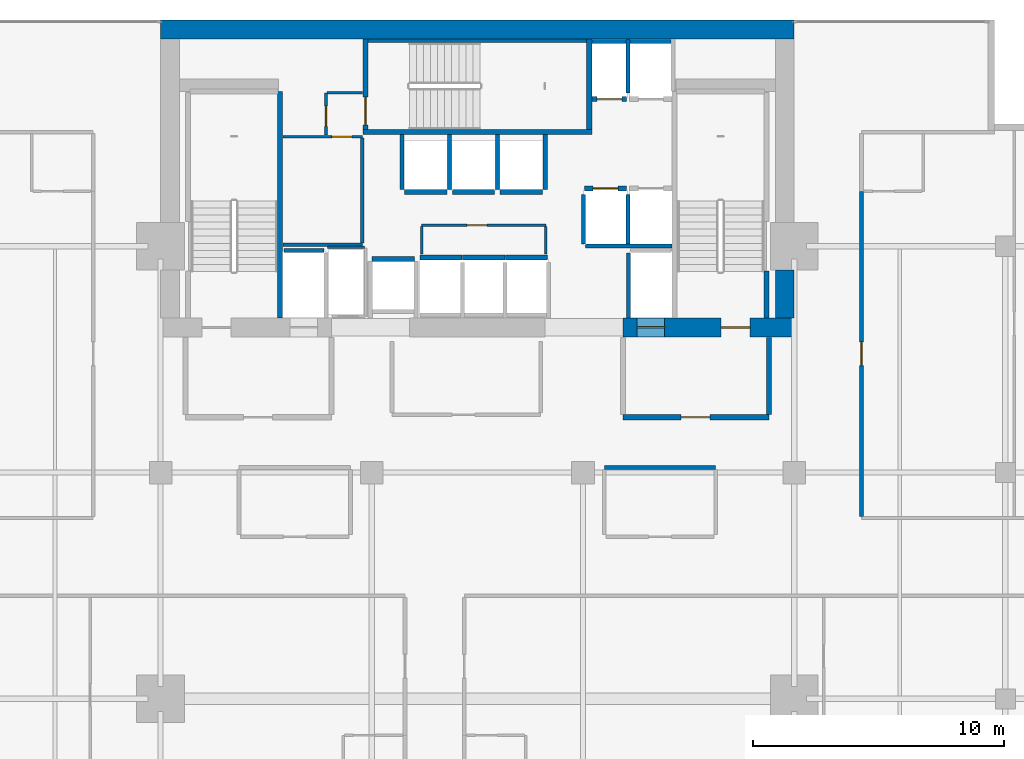
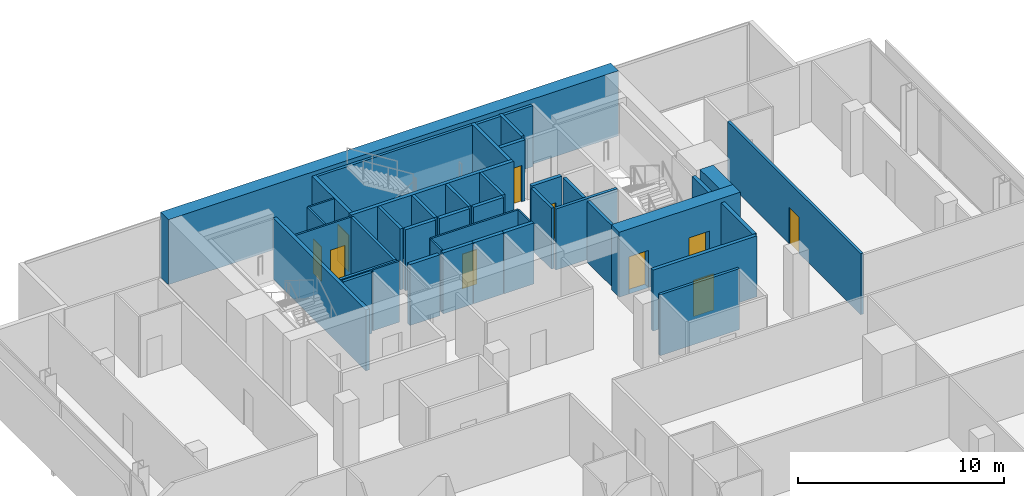
# One storey, part 29 of 32: 42 walls, 10 doors, 10 openings.
"""IFC4 building model written with IfcOpenShell, lengths in metres."""

import ifcopenshell
import ifcopenshell.guid

model = None  # the IFC model being written
_history = None  # IfcOwnerHistory: only IFC2X3 demands one
_inside = {}  # id of a spatial element -> (the spatial element, [elements in it])
_under = {}  # id of a project, library or spatial element -> (it, [spatial elements below it])
_declared = {}  # id of a project -> (the project, [libraries it declares])
_typed = {}  # id of a type object -> (the type object, [elements of that type])
_made_of = {}  # id of a material, layer set ... -> (it, [elements and type objects made of it])


def new_model(schema):
    """Start an empty IFC model of exactly this schema.

    Asked for "IFC4X3", IfcOpenShell would pick the latest addendum, in which some entities
    have other attributes; the version numbers below select the first issue.
    IFC2X3 requires an IfcOwnerHistory on every rooted entity: one is made here for all.
    """
    global model, _history
    if schema == "IFC4X3":
        model = ifcopenshell.file(schema_version=(4, 3, 0, 0))
    else:
        model = ifcopenshell.file(schema=schema)
    _inside.clear()
    _under.clear()
    _declared.clear()
    _typed.clear()
    _made_of.clear()
    _history = None
    if model.schema == "IFC2X3":
        org = make("IfcOrganization", Name="unknown")
        user = make(
            "IfcPersonAndOrganization",
            ThePerson=make("IfcPerson", FamilyName="unknown"),
            TheOrganization=org,
        )
        app = make(
            "IfcApplication",
            ApplicationDeveloper=org,
            Version="unknown",
            ApplicationFullName="unknown",
            ApplicationIdentifier="unknown",
        )
        _history = make(
            "IfcOwnerHistory",
            OwningUser=user,
            OwningApplication=app,
            ChangeAction="ADDED",
            CreationDate=0,
        )
    return model


def make(cls, **values):
    """One entity of the class cls with the attributes given. An attribute that is None is left unset."""
    return model.create_entity(
        cls, **{name: value for name, value in values.items() if value is not None}
    )


def rooted(cls, **values):
    """An entity with a GlobalId (a new one), such as an element, a storey or a relation."""
    return make(cls, GlobalId=ifcopenshell.guid.new(), OwnerHistory=_history, **values)


def si_unit(unit_type, name, prefix=None):
    """IfcSIUnit, for example si_unit("LENGTHUNIT", "METRE", prefix="MILLI")."""
    return make("IfcSIUnit", UnitType=unit_type, Prefix=prefix, Name=name)


def assignment(units):
    """IfcUnitAssignment: the units of a project."""
    return None if units is None else make("IfcUnitAssignment", Units=units)


def point(xyz):
    """IfcCartesianPoint."""
    return None if xyz is None else make("IfcCartesianPoint", Coordinates=xyz)


def direction(xyz):
    """IfcDirection."""
    return None if xyz is None else make("IfcDirection", DirectionRatios=xyz)


def frame(location, z_axis=None, x_axis=None):
    """IfcAxis2Placement3D, a coordinate frame: its origin and axes. An axis left out is left unset."""
    return make(
        "IfcAxis2Placement3D",
        Location=point(location),
        Axis=direction(z_axis),
        RefDirection=direction(x_axis),
    )


def frame_2d(location, x_axis=None):
    """IfcAxis2Placement2D, a coordinate frame in the plane: its origin and x axis."""
    return make(
        "IfcAxis2Placement2D", Location=point(location), RefDirection=direction(x_axis)
    )


def origin():
    """The frame at (0, 0, 0) with its axes left unset."""
    return frame((0.0, 0.0, 0.0))


def place(relative_to, where):
    """IfcLocalPlacement: puts the frame where relative to a parent placement (None: the world)."""
    return make(
        "IfcLocalPlacement", PlacementRelTo=relative_to, RelativePlacement=where
    )


def context(
    kind, dimensions, precision=None, world=None, true_north=None, identifier=None
):
    """IfcGeometricRepresentationContext, for example the 3D "Model" context."""
    return make(
        "IfcGeometricRepresentationContext",
        ContextIdentifier=identifier,
        ContextType=kind,
        CoordinateSpaceDimension=dimensions,
        Precision=precision,
        WorldCoordinateSystem=world,
        TrueNorth=true_north,
    )


def subcontext(parent, identifier, kind, view, scale=None):
    """IfcGeometricRepresentationSubContext, for example "Body" below "Model"."""
    return make(
        "IfcGeometricRepresentationSubContext",
        ContextIdentifier=identifier,
        ContextType=kind,
        ParentContext=parent,
        TargetScale=scale,
        TargetView=view,
    )


def project(units=None, contexts=None):
    """IfcProject with its units and contexts."""
    return rooted(
        "IfcProject",
        Name="project",
        RepresentationContexts=contexts,
        UnitsInContext=assignment(units),
    )


def spatial(cls, under=None, at=None, **own):
    """A site, building, storey or space (cls), placed at a placement, below another one or the project."""
    s = rooted(cls, ObjectPlacement=at, **own)
    if under is not None:
        _under.setdefault(under.id(), (under, []))[1].append(s)
    return s


def profile(cls, at=None, kind="AREA", **sizes):
    """A parametric profile (cls). Its sizes go by their IFC names, for example OverallWidth=200.0."""
    return make(cls, ProfileType=kind, Position=at, **sizes)


def rectangle(**sizes):
    """IfcRectangleProfileDef."""
    return profile("IfcRectangleProfileDef", **sizes)


def extrude(swept, where, along, depth):
    """IfcExtrudedAreaSolid: the profile swept, set in the frame where, extruded along a direction by depth."""
    return make(
        "IfcExtrudedAreaSolid",
        SweptArea=swept,
        Position=where,
        ExtrudedDirection=direction(along),
        Depth=depth,
    )


def shape(context_of_items, identifier, shape_type, items):
    """IfcShapeRepresentation: the items that make up one representation, for example the "Body"."""
    return make(
        "IfcShapeRepresentation",
        ContextOfItems=context_of_items,
        RepresentationIdentifier=identifier,
        RepresentationType=shape_type,
        Items=items,
    )


def material(Name=None, Category=None):
    """IfcMaterial."""
    return make("IfcMaterial", Name=Name, Category=Category)


def layer(
    of_material, thickness, ventilated=None, Name=None, Category=None, Priority=None
):
    """IfcMaterialLayer: one layer of a wall or slab, of a material (None: an air gap)."""
    return make(
        "IfcMaterialLayer",
        Material=of_material,
        LayerThickness=thickness,
        IsVentilated=ventilated,
        Name=Name,
        Category=Category,
        Priority=Priority,
    )


def layer_set(layers, Name=None):
    """IfcMaterialLayerSet."""
    return make("IfcMaterialLayerSet", MaterialLayers=layers, LayerSetName=Name)


def made_of(thing, what):
    """Note that an element or type object is made of a material, layer set ...; save() writes the relation."""
    if what is not None:
        _made_of.setdefault(what.id(), (what, []))[1].append(thing)
    return thing


def type_object(cls, material=None, **own):
    """A type object (cls), such as IfcWallType, which elements share."""
    return made_of(rooted(cls, **own), material)


def element(
    cls,
    number,
    at=None,
    inside=None,
    cuts=None,
    type_object=None,
    material=None,
    context=None,
    identifier="Body",
    shape_type=None,
    held_by="IfcProductDefinitionShape",
    body=None,
    shapes=None,
    **own,
):
    """One element of the class cls, such as IfcWall. Its Tag is "e" and its number.

    at: its placement. inside: the storey or other place that contains it. cuts: it is an
    opening in that element (IfcRelVoidsElement). A single representation is given by context,
    identifier, shape_type and body (its items); several are given by shapes. held_by: the class
    of the entity that holds the representations. save() writes the other relations.
    """
    e = rooted(cls, Tag="e%d" % number, ObjectPlacement=at, **own)
    if body is not None:
        shapes = [shape(context, identifier, shape_type, body)]
    if shapes is not None:
        e.Representation = make(held_by, Representations=shapes)
    if inside is not None:
        _inside.setdefault(inside.id(), (inside, []))[1].append(e)
    if cuts is not None:
        rooted(
            "IfcRelVoidsElement", RelatingBuildingElement=cuts, RelatedOpeningElement=e
        )
    if type_object is not None:
        _typed.setdefault(type_object.id(), (type_object, []))[1].append(e)
    return made_of(e, material)


def fill(opening, filler):
    """IfcRelFillsElement: the door or window that sits in an opening."""
    return rooted(
        "IfcRelFillsElement",
        RelatingOpeningElement=opening,
        RelatedBuildingElement=filler,
    )


def aggregate(whole, parts):
    """IfcRelAggregates: a whole, such as a stair, and the parts it consists of."""
    return rooted("IfcRelAggregates", RelatingObject=whole, RelatedObjects=parts)


def save(model, path):
    """Write the relations noted so far, then the file.

    IfcRelAggregates (storeys below a building ...), IfcRelContainedInSpatialStructure (elements
    in a storey), IfcRelDefinesByType, IfcRelAssociatesMaterial and IfcRelDeclares: one each for
    every whole, place, type object, material and project.
    """
    for whole, parts in _under.values():
        aggregate(whole, parts)
    for where, things in _inside.values():
        rooted(
            "IfcRelContainedInSpatialStructure",
            RelatedElements=things,
            RelatingStructure=where,
        )
    for kind, things in _typed.values():
        rooted("IfcRelDefinesByType", RelatedObjects=things, RelatingType=kind)
    for what, things in _made_of.values():
        rooted("IfcRelAssociatesMaterial", RelatedObjects=things, RelatingMaterial=what)
    for by, libraries in _declared.values():
        rooted("IfcRelDeclares", RelatingContext=by, RelatedDefinitions=libraries)
    model.write(path)


model = new_model("IFC4")

# Units and contexts
model_context = context("Model", 3, precision=1e-05, world=origin(), true_north=direction((0.0, 1.0)))
body_context = subcontext(model_context, "Body", "Model", "MODEL_VIEW")
ifc_project = project(units=[si_unit("LENGTHUNIT", "METRE"), si_unit("AREAUNIT", "SQUARE_METRE"), si_unit("VOLUMEUNIT", "CUBIC_METRE"), si_unit("PLANEANGLEUNIT", "RADIAN"), si_unit("MASSUNIT", "GRAM", prefix="KILO")], contexts=[model_context])

# Site, building, storey
site_placement = place(None, origin())
site = spatial("IfcSite", under=ifc_project, at=site_placement, CompositionType="ELEMENT")
building_placement = place(site_placement, origin())
building = spatial("IfcBuilding", under=site, at=building_placement, Name="Maruvema Waterfront Hotel and Observation Tower", CompositionType="ELEMENT")
storey_placement = place(building_placement, frame((0.0, 0.0, 219.800048828125)))
storey = spatial("IfcBuildingStorey", under=building, at=storey_placement, Name="L54", CompositionType="ELEMENT", Elevation=219.800048828125)

# Walls
ifc_material_1 = material(Name="Twin-stud acoustic gypsum drywall", Category="gypsum")
ifc_layer_1 = layer(ifc_material_1, 0.14990234375, Name="Acoustic Corridor and Suite Demising Wall 150 mm")
ifc_layer_set_1 = layer_set([ifc_layer_1], Name="Twin-stud acoustic gypsum drywall")
wall_type_1 = type_object("IfcWallType", Name="Acoustic Corridor and Suite Demising Wall 150 mm", PredefinedType="PARTITIONING", material=ifc_layer_set_1)
wall_1_placement = place(storey_placement, frame((30.06005859375, 45.06005859375, 0.0), z_axis=(0.0, 0.0, 1.0), x_axis=(1.0, 0.0, 0.0)))
element("IfcWall", 1, at=wall_1_placement, inside=storey, type_object=wall_type_1, Name="L54 Freed B1 South Wall 013", PredefinedType="PARTITIONING", context=body_context, shape_type="SweptSolid", body=[
    extrude(rectangle(XDim=3.179931640625, YDim=0.14990234375, at=frame_2d((1.58984375, 0.0))), origin(), (0.0, 0.0, 1.0), 3.60986328125),
])
wall_2_placement = place(storey_placement, frame((33.219970703125, 45.139892578125, 0.0), z_axis=(0.0, 0.0, 1.0), x_axis=(0.0, 1.0, 0.0)))
element("IfcWall", 2, at=wall_2_placement, inside=storey, type_object=wall_type_1, Name="L54 Freed B1 East Wall 014", PredefinedType="PARTITIONING", context=body_context, shape_type="SweptSolid", body=[
    extrude(rectangle(XDim=4.16015625, YDim=0.14990234375, at=frame_2d((2.080078125, 0.0))), origin(), (0.0, 0.0, 1.0), 3.60986328125),
])
wall_3_placement = place(storey_placement, frame((42.85009765625, 36.199951171875, 0.0), z_axis=(0.0, 0.0, 1.0), x_axis=(1.0, 0.0, 0.0)))
element("IfcWall", 3, at=wall_3_placement, inside=storey, type_object=wall_type_1, Name="L54 L54-M2 Back Wall 025", PredefinedType="PARTITIONING", context=body_context, shape_type="SweptSolid", body=[
    extrude(rectangle(XDim=4.429931640625, YDim=0.14990234375, at=frame_2d((2.21484375, 0.0))), origin(), (0.0, 0.0, 1.0), 3.60986328125),
])

# Wall, opening, door
wall_4_placement = place(storey_placement, frame((53.080078125, 34.260009765625, 0.0), z_axis=(0.0, 0.0, 1.0), x_axis=(0.0, 1.0, 0.0)))
wall_4 = element("IfcWall", 4, at=wall_4_placement, inside=storey, type_object=wall_type_1, Name="L54 Room L54-NE1 Corridor Wall 079", PredefinedType="PARTITIONING", context=body_context, shape_type="SweptSolid", body=[
    extrude(rectangle(XDim=12.927490234375, YDim=0.14990234375, at=frame_2d((6.4638671875, 0.0))), origin(), (0.0, 0.0, 1.0), 3.60986328125),
])
opening_1_placement = place(wall_4_placement, frame((5.98876953125, 0.0, 0.0)))
opening_1 = element("IfcOpeningElement", 5, at=opening_1_placement, cuts=wall_4, Name="Opening DR-095", PredefinedType="OPENING", context=body_context, shape_type="SweptSolid", body=[
    extrude(rectangle(XDim=0.949951171875, YDim=2.14990234375, at=frame_2d((0.47509765625, 1.074951171875))), frame((0.0, 0.0849609375, 0.0), z_axis=(0.0, -1.0, 0.0), x_axis=(1.0, 0.0, 0.0)), (0.0, 0.0, 1.0), 0.169921875),
])
ifc_material_2 = material(Name="Acoustic solid-core hardwood timber leaf", Category="wood")
door_type_1 = type_object("IfcDoorType", Name="Guestroom Entrance Fire Door 950x2150 mm", OperationType="NOTDEFINED", PredefinedType="DOOR", material=ifc_material_2)
door_1_placement = place(opening_1_placement, frame((0.949951171875, 0.0, 0.0), z_axis=(0.0, 0.0, 1.0), x_axis=(-1.0, 0.0, 0.0)))
door_1 = element("IfcDoor", 6, at=door_1_placement, inside=storey, type_object=door_type_1, Name="L54 Room L54-NE1 Entrance Door", OperationType="SINGLE_SWING_RIGHT", OverallHeight=2.14990234375, OverallWidth=0.949951171875, PredefinedType="DOOR", context=body_context, shape_type="SweptSolid", body=[
    extrude(rectangle(XDim=0.949951171875, YDim=2.14990234375, at=frame_2d((0.47509765625, 1.074951171875))), frame((0.0, 0.02490234375, 0.0), z_axis=(0.0, -1.0, 0.0), x_axis=(1.0, 0.0, 0.0)), (0.0, 0.0, 1.0), 0.050048828125),
])
fill(opening_1, door_1)

# Walls
ifc_material_3 = material(Name="Precast concrete C45/55", Category="concrete")
ifc_layer_2 = layer(ifc_material_3, 0.14990234375, Name="Core Shaft Furring Wall 150 mm")
ifc_layer_set_2 = layer_set([ifc_layer_2], Name="Precast concrete C45/55")
wall_type_2 = type_object("IfcWallType", Name="Core Shaft Furring Wall 150 mm", PredefinedType="SOLIDWALL", material=ifc_layer_set_2)
wall_5_placement = place(storey_placement, frame((33.449951171875, 53.175048828125, 0.0), z_axis=(0.0, 0.0, 1.0), x_axis=(1.0, 0.0, 0.0)))
element("IfcWall", 7, at=wall_5_placement, inside=storey, type_object=wall_type_2, Name="L54 Stairwell ST-02 North Furring Wall", PredefinedType="SOLIDWALL", context=body_context, shape_type="SweptSolid", body=[
    extrude(rectangle(XDim=8.699951171875, YDim=0.14990234375, at=frame_2d((4.35009765625, 0.0))), origin(), (0.0, 0.0, 1.0), 3.60986328125),
])
ifc_material_4 = material(Name="Precast concrete C45/55", Category="concrete")
ifc_layer_3 = layer(ifc_material_4, 0.199951171875, Name="Core Shaft and Stairwell Enclosure Wall 200 mm")
ifc_layer_set_3 = layer_set([ifc_layer_3], Name="Precast concrete C45/55")
wall_type_3 = type_object("IfcWallType", Name="Core Shaft and Stairwell Enclosure Wall 200 mm", PredefinedType="SOLIDWALL", material=ifc_layer_set_3)
wall_6_placement = place(storey_placement, frame((29.949951171875, 42.14990234375, 0.0), z_axis=(0.0, 0.0, 1.0), x_axis=(0.0, 1.0, 0.0)))
element("IfcWall", 8, at=wall_6_placement, inside=storey, type_object=wall_type_3, Name="L54 Stairwell ST-01 East Shaft Wall", PredefinedType="SOLIDWALL", context=body_context, shape_type="SweptSolid", body=[
    extrude(rectangle(XDim=9.0, YDim=0.199951171875, at=frame_2d((4.5, 0.0))), origin(), (0.0, 0.0, 1.0), 3.60986328125),
])
wall_7_placement = place(storey_placement, frame((33.25, 49.550048828125, 0.0), z_axis=(0.0, 0.0, 1.0), x_axis=(1.0, 0.0, 0.0)))
element("IfcWall", 9, at=wall_7_placement, inside=storey, type_object=wall_type_3, Name="L54 Stairwell ST-02 Shaft Wall", PredefinedType="SOLIDWALL", context=body_context, shape_type="SweptSolid", body=[
    extrude(rectangle(XDim=9.10009765625, YDim=0.199951171875, at=frame_2d((4.550048828125, 0.0))), origin(), (0.0, 0.0, 1.0), 3.60986328125),
])
wall_8_placement = place(storey_placement, frame((42.25, 49.64990234375, 0.0), z_axis=(0.0, 0.0, 1.0), x_axis=(0.0, 1.0, 0.0)))
element("IfcWall", 10, at=wall_8_placement, inside=storey, type_object=wall_type_3, Name="L54 Stairwell ST-02 Shaft Wall", PredefinedType="SOLIDWALL", context=body_context, shape_type="SweptSolid", body=[
    extrude(rectangle(XDim=3.60009765625, YDim=0.199951171875, at=frame_2d((1.800048828125, 0.0))), origin(), (0.0, 0.0, 1.0), 3.60986328125),
])

# Wall, opening, door
wall_9_placement = place(storey_placement, frame((33.35009765625, 49.64990234375, 0.0), z_axis=(0.0, 0.0, 1.0), x_axis=(0.0, 1.0, 0.0)))
wall_9 = element("IfcWall", 11, at=wall_9_placement, inside=storey, type_object=wall_type_3, Name="L54 Stairwell ST-02 Shaft Wall", PredefinedType="SOLIDWALL", context=body_context, shape_type="SweptSolid", body=[
    extrude(rectangle(XDim=3.60009765625, YDim=0.199951171875, at=frame_2d((1.800048828125, 0.0))), origin(), (0.0, 0.0, 1.0), 3.60986328125),
])
opening_2_placement = place(wall_9_placement, frame((0.179931640625, 0.0, 0.0)))
opening_2 = element("IfcOpeningElement", 12, at=opening_2_placement, cuts=wall_9, Name="Opening SD-02", PredefinedType="OPENING", context=body_context, shape_type="SweptSolid", body=[
    extrude(rectangle(XDim=1.10009765625, YDim=2.14990234375, at=frame_2d((0.550048828125, 1.074951171875))), frame((0.0, 0.10986328125, 0.0), z_axis=(0.0, -1.0, 0.0), x_axis=(1.0, 0.0, 0.0)), (0.0, 0.0, 1.0), 0.219970703125),
])
ifc_material_5 = material(Name="Fire-rated galvanised steel leaf", Category="steel")
door_type_2 = type_object("IfcDoorType", Name="Central Exit Stair Fire Door 1100x2150 mm", OperationType="NOTDEFINED", PredefinedType="DOOR", material=ifc_material_5)
door_2_placement = place(opening_2_placement, frame((1.10009765625, 0.0, 0.0), z_axis=(0.0, 0.0, 1.0), x_axis=(-1.0, 0.0, 0.0)))
door_2 = element("IfcDoor", 13, at=door_2_placement, inside=storey, type_object=door_type_2, Name="L54 Exit Stair ST-02 Fire Door", OperationType="SINGLE_SWING_LEFT", OverallHeight=2.14990234375, OverallWidth=1.10009765625, PredefinedType="DOOR", context=body_context, shape_type="SweptSolid", body=[
    extrude(rectangle(XDim=1.10009765625, YDim=2.14990234375, at=frame_2d((0.550048828125, 1.074951171875))), frame((0.0, 0.02490234375, 0.0), z_axis=(0.0, -1.0, 0.0), x_axis=(1.0, 0.0, 0.0)), (0.0, 0.0, 1.0), 0.050048828125),
])
fill(opening_2, door_2)

# Wall
wall_10_placement = place(storey_placement, frame((49.300048828125, 42.14990234375, 0.0), z_axis=(0.0, 0.0, 1.0), x_axis=(0.0, 1.0, 0.0)))
element("IfcWall", 14, at=wall_10_placement, inside=storey, type_object=wall_type_3, Name="L54 Stairwell ST-03 Shaft Lining Wall", PredefinedType="SOLIDWALL", context=body_context, shape_type="SweptSolid", body=[
    extrude(rectangle(XDim=1.8701171875, YDim=0.199951171875, at=frame_2d((0.93505859375, 0.0))), origin(), (0.0, 0.0, 1.0), 3.60986328125),
])

# Wall, opening, door
wall_11_placement = place(storey_placement, frame((42.06005859375, 47.300048828125, 0.0), z_axis=(0.0, 0.0, 1.0), x_axis=(1.0, 0.0, 0.0)))
wall_11 = element("IfcWall", 15, at=wall_11_placement, inside=storey, type_object=wall_type_3, Name="L54 Lift LF-05 Hoistway Front Wall", PredefinedType="SOLIDWALL", context=body_context, shape_type="SweptSolid", body=[
    extrude(rectangle(XDim=1.679931640625, YDim=0.199951171875, at=frame_2d((0.83984375, 0.0))), origin(), (0.0, 0.0, 1.0), 3.60986328125),
])
opening_3_placement = place(wall_11_placement, frame((0.340087890625, 0.0, 0.0)))
opening_3 = element("IfcOpeningElement", 16, at=opening_3_placement, cuts=wall_11, Name="Opening LD-01", PredefinedType="OPENING", context=body_context, shape_type="SweptSolid", body=[
    extrude(rectangle(XDim=1.0, YDim=2.14990234375, at=frame_2d((0.5, 1.074951171875))), frame((0.0, 0.10986328125, 0.0), z_axis=(0.0, -1.0, 0.0), x_axis=(1.0, 0.0, 0.0)), (0.0, 0.0, 1.0), 0.219970703125),
])
ifc_material_6 = material(Name="Brushed stainless steel Grade 316", Category="steel")
door_type_3 = type_object("IfcDoorType", Name="Passenger Lift Sliding Landing Door 1000x2150 mm", OperationType="SLIDING_TO_LEFT", PredefinedType="DOOR", material=ifc_material_6)
door_3_placement = place(opening_3_placement, origin())
door_3 = element("IfcDoor", 17, at=door_3_placement, inside=storey, type_object=door_type_3, Name="L54 Lift LF-05 Sliding Landing Door", OperationType="SLIDING_TO_LEFT", OverallHeight=2.14990234375, OverallWidth=1.0, PredefinedType="DOOR", context=body_context, shape_type="SweptSolid", body=[
    extrude(rectangle(XDim=1.0, YDim=2.14990234375, at=frame_2d((0.5, 1.074951171875))), frame((0.0, 0.02490234375, 0.0), z_axis=(0.0, -1.0, 0.0), x_axis=(1.0, 0.0, 0.0)), (0.0, 0.0, 1.0), 0.050048828125),
])
fill(opening_3, door_3)

wall_12_placement = place(storey_placement, frame((42.360107421875, 50.85009765625, 0.0), z_axis=(0.0, 0.0, 1.0), x_axis=(1.0, 0.0, 0.0)))
wall_12 = element("IfcWall", 18, at=wall_12_placement, inside=storey, type_object=wall_type_3, Name="L54 Lift LF-07 Hoistway Front Wall", PredefinedType="SOLIDWALL", context=body_context, shape_type="SweptSolid", body=[
    extrude(rectangle(XDim=1.3798828125, YDim=0.199951171875, at=frame_2d((0.68994140625, 0.0))), origin(), (0.0, 0.0, 1.0), 3.60986328125),
])
opening_4_placement = place(wall_12_placement, frame((0.18994140625, 0.0, 0.0)))
opening_4 = element("IfcOpeningElement", 19, at=opening_4_placement, cuts=wall_12, Name="Opening LD-01", PredefinedType="OPENING", context=body_context, shape_type="SweptSolid", body=[
    extrude(rectangle(XDim=1.0, YDim=2.14990234375, at=frame_2d((0.5, 1.074951171875))), frame((0.0, 0.10986328125, 0.0), z_axis=(0.0, -1.0, 0.0), x_axis=(1.0, 0.0, 0.0)), (0.0, 0.0, 1.0), 0.219970703125),
])
door_4_placement = place(opening_4_placement, frame((1.0, 0.0, 0.0), z_axis=(0.0, 0.0, 1.0), x_axis=(-1.0, 0.0, 0.0)))
door_4 = element("IfcDoor", 20, at=door_4_placement, inside=storey, type_object=door_type_3, Name="L54 Lift LF-07 Sliding Landing Door", OperationType="SLIDING_TO_LEFT", OverallHeight=2.14990234375, OverallWidth=1.0, PredefinedType="DOOR", context=body_context, shape_type="SweptSolid", body=[
    extrude(rectangle(XDim=1.0, YDim=2.14990234375, at=frame_2d((0.5, 1.074951171875))), frame((0.0, 0.02490234375, 0.0), z_axis=(0.0, -1.0, 0.0), x_axis=(1.0, 0.0, 0.0)), (0.0, 0.0, 1.0), 0.050048828125),
])
fill(opening_4, door_4)

# Walls
for number, where, z_axis, x_axis, name in (
    (21, (35.510009765625, 44.550048828125, 0.0), (0.0, 0.0, 1.0), (1.0, 0.0, 0.0), "L54 Lift LF-09 Hoistway Front Wall"),
    (22, (37.2099609375, 44.550048828125, 0.0), (0.0, 0.0, 1.0), (1.0, 0.0, 0.0), "L54 Lift LF-10 Hoistway Front Wall"),
):
    element("IfcWall", number, at=place(storey_placement, frame(where, z_axis=z_axis, x_axis=x_axis)), inside=storey, type_object=wall_type_3, Name=name, PredefinedType="SOLIDWALL", context=body_context, shape_type="SweptSolid", body=[
        extrude(rectangle(XDim=1.679931640625, YDim=0.199951171875, at=frame_2d((0.83984375, 0.0))), origin(), (0.0, 0.0, 1.0), 3.60986328125),
    ])
for number, where, z_axis, x_axis, name in (
    (23, (38.909912109375, 44.550048828125, 0.0), (0.0, 0.0, 1.0), (1.0, 0.0, 0.0), "L54 Lift LF-11 Hoistway Front Wall"),
    (24, (34.909912109375, 47.14990234375, 0.0), (0.0, 0.0, 1.0), (1.0, 0.0, 0.0), "L54 Lift LF-12 Hoistway Front Wall"),
):
    element("IfcWall", number, at=place(storey_placement, frame(where, z_axis=z_axis, x_axis=x_axis)), inside=storey, type_object=wall_type_3, Name=name, PredefinedType="SOLIDWALL", context=body_context, shape_type="SweptSolid", body=[
        extrude(rectangle(XDim=1.68017578125, YDim=0.199951171875, at=frame_2d((0.840087890625, 0.0))), origin(), (0.0, 0.0, 1.0), 3.60986328125),
    ])
for number, where, z_axis, x_axis, name in (
    (25, (36.81005859375, 47.14990234375, 0.0), (0.0, 0.0, 1.0), (1.0, 0.0, 0.0), "L54 Lift LF-13 Hoistway Front Wall"),
    (26, (38.7099609375, 47.14990234375, 0.0), (0.0, 0.0, 1.0), (1.0, 0.0, 0.0), "L54 Lift LF-14 Hoistway Front Wall"),
    (27, (33.610107421875, 44.5, 0.0), (0.0, 0.0, 1.0), (1.0, 0.0, 0.0), "L54 Lift LF-15 Hoistway Front Wall"),
):
    element("IfcWall", number, at=place(storey_placement, frame(where, z_axis=z_axis, x_axis=x_axis)), inside=storey, type_object=wall_type_3, Name=name, PredefinedType="SOLIDWALL", context=body_context, shape_type="SweptSolid", body=[
        extrude(rectangle(XDim=1.679931640625, YDim=0.199951171875, at=frame_2d((0.83984375, 0.0))), origin(), (0.0, 0.0, 1.0), 3.60986328125),
    ])
ifc_material_7 = material(Name="Concrete C70/85", Category="concrete")
ifc_layer_4 = layer(ifc_material_7, 0.75, Name="Core Shear Wall 750 mm")
ifc_layer_set_4 = layer_set([ifc_layer_4], Name="Concrete C70/85")
wall_type_4 = type_object("IfcWallType", Name="Core Shear Wall 750 mm", PredefinedType="SHEAR", material=ifc_layer_set_4)
wall_13_placement = place(storey_placement, frame((25.199951171875, 53.625, 0.0), z_axis=(0.0, 0.0, 1.0), x_axis=(1.0, 0.0, 0.0)))
element("IfcWall", 28, at=wall_13_placement, inside=storey, type_object=wall_type_4, Name="L54 North Core Shear Wall", PredefinedType="SHEAR", context=body_context, shape_type="SweptSolid", body=[
    extrude(rectangle(XDim=25.199951171875, YDim=0.75, at=frame_2d((12.60009765625, 0.0))), origin(), (0.0, 0.0, 1.0), 3.849853515625),
])

# Wall, openings, doors
wall_14_placement = place(storey_placement, frame((43.60009765625, 41.77490234375, 0.0), z_axis=(0.0, 0.0, 1.0), x_axis=(1.0, 0.0, 0.0)))
wall_14 = element("IfcWall", 29, at=wall_14_placement, inside=storey, type_object=wall_type_4, Name="L54 South-East Core Shear Wall", PredefinedType="SHEAR", context=body_context, shape_type="SweptSolid", body=[
    extrude(rectangle(XDim=6.7998046875, YDim=0.75, at=frame_2d((3.39990234375, 0.0))), origin(), (0.0, 0.0, 1.0), 3.849853515625),
])
opening_5_placement = place(wall_14_placement, frame((3.89990234375, 0.0, 0.0)))
opening_5 = element("IfcOpeningElement", 30, at=opening_5_placement, cuts=wall_14, Name="Opening SD-01", PredefinedType="OPENING", context=body_context, shape_type="SweptSolid", body=[
    extrude(rectangle(XDim=1.14990234375, YDim=2.14990234375, at=frame_2d((0.574951171875, 1.074951171875))), frame((0.0, 0.385009765625, 0.0), z_axis=(0.0, -1.0, 0.0), x_axis=(1.0, 0.0, 0.0)), (0.0, 0.0, 1.0), 0.77001953125),
])
opening_6_placement = place(wall_14_placement, frame((0.550048828125, 0.0, 0.0)))
opening_6 = element("IfcOpeningElement", 31, at=opening_6_placement, cuts=wall_14, Name="Opening LD-03", PredefinedType="OPENING", context=body_context, shape_type="SweptSolid", body=[
    extrude(rectangle(XDim=1.10009765625, YDim=2.199951171875, at=frame_2d((0.550048828125, 1.10009765625))), frame((0.0, 0.385009765625, 0.0), z_axis=(0.0, -1.0, 0.0), x_axis=(1.0, 0.0, 0.0)), (0.0, 0.0, 1.0), 0.77001953125),
])
ifc_material_8 = material(Name="Fire-rated galvanised steel leaf", Category="steel")
door_type_4 = type_object("IfcDoorType", Name="Exit Stair Fire Door 1150x2150 mm", OperationType="NOTDEFINED", PredefinedType="DOOR", material=ifc_material_8)
door_5_placement = place(opening_5_placement, origin())
door_5 = element("IfcDoor", 32, at=door_5_placement, inside=storey, type_object=door_type_4, Name="L54 Exit Stair ST-03 Fire Door", OperationType="SINGLE_SWING_RIGHT", OverallHeight=2.14990234375, OverallWidth=1.14990234375, PredefinedType="DOOR", context=body_context, shape_type="SweptSolid", body=[
    extrude(rectangle(XDim=1.14990234375, YDim=2.14990234375, at=frame_2d((0.574951171875, 1.074951171875))), frame((0.0, 0.02490234375, 0.0), z_axis=(0.0, -1.0, 0.0), x_axis=(1.0, 0.0, 0.0)), (0.0, 0.0, 1.0), 0.050048828125),
])
fill(opening_5, door_5)
ifc_material_9 = material(Name="Brushed stainless steel Grade 316", Category="steel")
door_type_5 = type_object("IfcDoorType", Name="Firefighting Lift Sliding Landing Door 1100x2200 mm", OperationType="SLIDING_TO_LEFT", PredefinedType="DOOR", material=ifc_material_9)
door_6_placement = place(opening_6_placement, frame((1.10009765625, 0.0, 0.0), z_axis=(0.0, 0.0, 1.0), x_axis=(-1.0, 0.0, 0.0)))
door_6 = element("IfcDoor", 33, at=door_6_placement, inside=storey, type_object=door_type_5, Name="L54 Firefighting Lift FL-02 Landing Door", OperationType="SLIDING_TO_LEFT", OverallHeight=2.199951171875, OverallWidth=1.10009765625, PredefinedType="DOOR", context=body_context, shape_type="SweptSolid", body=[
    extrude(rectangle(XDim=1.10009765625, YDim=2.199951171875, at=frame_2d((0.550048828125, 1.10009765625))), frame((0.0, 0.02490234375, 0.0), z_axis=(0.0, -1.0, 0.0), x_axis=(1.0, 0.0, 0.0)), (0.0, 0.0, 1.0), 0.050048828125),
])
fill(opening_6, door_6)

# Walls
wall_15_placement = place(storey_placement, frame((50.02490234375, 42.14990234375, 0.0), z_axis=(0.0, 0.0, 1.0), x_axis=(0.0, 1.0, 0.0)))
element("IfcWall", 34, at=wall_15_placement, inside=storey, type_object=wall_type_4, Name="L54 East-South Core Shear Wall", PredefinedType="SHEAR", context=body_context, shape_type="SweptSolid", body=[
    extrude(rectangle(XDim=1.900146484375, YDim=0.75, at=frame_2d((0.9501953125, 0.0))), origin(), (0.0, 0.0, 1.0), 3.849853515625),
])
ifc_material_10 = material(Name="Moisture-resistant cement-board drywall", Category="gypsum")
ifc_layer_5 = layer(ifc_material_10, 0.10009765625, Name="En-Suite Moisture-Resistant Partition 100 mm")
ifc_layer_set_5 = layer_set([ifc_layer_5], Name="Moisture-resistant cement-board drywall")
wall_type_5 = type_object("IfcWallType", Name="En-Suite Moisture-Resistant Partition 100 mm", PredefinedType="PARTITIONING", material=ifc_layer_set_5)
wall_16_placement = place(storey_placement, frame((31.840087890625, 44.9599609375, 0.0), z_axis=(0.0, 0.0, 1.0), x_axis=(1.0, 0.0, 0.0)))
element("IfcWall", 35, at=wall_16_placement, inside=storey, type_object=wall_type_5, Name="L54 Telecom Riser North Wall 008", PredefinedType="PARTITIONING", context=body_context, shape_type="SweptSolid", body=[
    extrude(rectangle(XDim=1.47998046875, YDim=0.10009765625, at=frame_2d((0.739990234375, 0.0))), origin(), (0.0, 0.0, 1.0), 3.60986328125),
])

# Wall, opening, door
wall_17_placement = place(storey_placement, frame((35.580078125, 45.840087890625, 0.0), z_axis=(0.0, 0.0, 1.0), x_axis=(1.0, 0.0, 0.0)))
wall_17 = element("IfcWall", 36, at=wall_17_placement, inside=storey, type_object=wall_type_5, Name="L54 Core Closet K0 North 010", PredefinedType="PARTITIONING", context=body_context, shape_type="SweptSolid", body=[
    extrude(rectangle(XDim=4.93994140625, YDim=0.10009765625, at=frame_2d((2.469970703125, 0.0))), origin(), (0.0, 0.0, 1.0), 3.60986328125),
])
opening_7_placement = place(wall_17_placement, frame((1.800048828125, 0.0, 0.0)))
opening_7 = element("IfcOpeningElement", 37, at=opening_7_placement, cuts=wall_17, Name="Opening DR-080", PredefinedType="OPENING", context=body_context, shape_type="SweptSolid", body=[
    extrude(rectangle(XDim=0.800048828125, YDim=2.050048828125, at=frame_2d((0.39990234375, 1.02490234375))), frame((0.0, 0.06005859375, 0.0), z_axis=(0.0, -1.0, 0.0), x_axis=(1.0, 0.0, 0.0)), (0.0, 0.0, 1.0), 0.1201171875),
])
ifc_material_11 = material(Name="Powder-coated steel access leaf", Category="steel")
door_type_6 = type_object("IfcDoorType", Name="Riser and Service Cupboard Door 800x2050 mm", OperationType="NOTDEFINED", PredefinedType="DOOR", material=ifc_material_11)
door_7_placement = place(opening_7_placement, origin())
door_7 = element("IfcDoor", 38, at=door_7_placement, inside=storey, type_object=door_type_6, Name="L54 Core Electrical Closet Door", OperationType="SINGLE_SWING_RIGHT", OverallHeight=2.050048828125, OverallWidth=0.800048828125, PredefinedType="DOOR", context=body_context, shape_type="SweptSolid", body=[
    extrude(rectangle(XDim=0.800048828125, YDim=2.050048828125, at=frame_2d((0.39990234375, 1.02490234375))), frame((0.0, 0.02490234375, 0.0), z_axis=(0.0, -1.0, 0.0), x_axis=(1.0, 0.0, 0.0)), (0.0, 0.0, 1.0), 0.050048828125),
])
fill(opening_7, door_7)

# Walls
for number, where, z_axis, x_axis, name in (
    (39, (35.580078125, 44.699951171875, 0.0), (0.0, 0.0, 1.0), (0.0, 1.0, 0.0), "L54 Core Closet K0 West 011"),
    (40, (40.52001953125, 44.699951171875, 0.0), (0.0, 0.0, 1.0), (0.0, 1.0, 0.0), "L54 Core Closet K0 East 012"),
):
    element("IfcWall", number, at=place(storey_placement, frame(where, z_axis=z_axis, x_axis=x_axis)), inside=storey, type_object=wall_type_5, Name=name, PredefinedType="PARTITIONING", context=body_context, shape_type="SweptSolid", body=[
        extrude(rectangle(XDim=1.080078125, YDim=0.10009765625, at=frame_2d((0.5400390625, 0.0))), origin(), (0.0, 0.0, 1.0), 3.60986328125),
    ])

# Wall, opening, door
wall_18_placement = place(storey_placement, frame((30.06005859375, 49.360107421875, 0.0), z_axis=(0.0, 0.0, 1.0), x_axis=(1.0, 0.0, 0.0)))
wall_18 = element("IfcWall", 41, at=wall_18_placement, inside=storey, type_object=wall_type_5, Name="L54 Freed B1 Mid Wall 015", PredefinedType="PARTITIONING", context=body_context, shape_type="SweptSolid", body=[
    extrude(rectangle(XDim=3.179931640625, YDim=0.10009765625, at=frame_2d((1.58984375, 0.0))), origin(), (0.0, 0.0, 1.0), 3.60986328125),
])
opening_8_placement = place(wall_18_placement, frame((1.949951171875, 0.0, 0.0)))
opening_8 = element("IfcOpeningElement", 42, at=opening_8_placement, cuts=wall_18, Name="Opening DR-080", PredefinedType="OPENING", context=body_context, shape_type="SweptSolid", body=[
    extrude(rectangle(XDim=0.800048828125, YDim=2.050048828125, at=frame_2d((0.39990234375, 1.02490234375))), frame((0.0, 0.06005859375, 0.0), z_axis=(0.0, -1.0, 0.0), x_axis=(1.0, 0.0, 0.0)), (0.0, 0.0, 1.0), 0.1201171875),
])
door_8_placement = place(opening_8_placement, origin())
door_8 = element("IfcDoor", 43, at=door_8_placement, inside=storey, type_object=door_type_6, Name="L54 Housekeeping and Linen Room Door", OperationType="SINGLE_SWING_LEFT", OverallHeight=2.050048828125, OverallWidth=0.800048828125, PredefinedType="DOOR", context=body_context, shape_type="SweptSolid", body=[
    extrude(rectangle(XDim=0.800048828125, YDim=2.050048828125, at=frame_2d((0.39990234375, 1.02490234375))), frame((0.0, 0.02490234375, 0.0), z_axis=(0.0, -1.0, 0.0), x_axis=(1.0, 0.0, 0.0)), (0.0, 0.0, 1.0), 0.050048828125),
])
fill(opening_8, door_8)

wall_19_placement = place(storey_placement, frame((31.780029296875, 49.419921875, 0.0), z_axis=(0.0, 0.0, 1.0), x_axis=(0.0, 1.0, 0.0)))
wall_19 = element("IfcWall", 44, at=wall_19_placement, inside=storey, type_object=wall_type_5, Name="L54 Freed B1 NW East Wall 016", PredefinedType="PARTITIONING", context=body_context, shape_type="SweptSolid", body=[
    extrude(rectangle(XDim=1.68017578125, YDim=0.10009765625, at=frame_2d((0.840087890625, 0.0))), origin(), (0.0, 0.0, 1.0), 3.60986328125),
])
opening_9_placement = place(wall_19_placement, frame((0.35009765625, 0.0, 0.0)))
opening_9 = element("IfcOpeningElement", 45, at=opening_9_placement, cuts=wall_19, Name="Opening DR-080", PredefinedType="OPENING", context=body_context, shape_type="SweptSolid", body=[
    extrude(rectangle(XDim=0.800048828125, YDim=2.050048828125, at=frame_2d((0.39990234375, 1.02490234375))), frame((0.0, 0.06005859375, 0.0), z_axis=(0.0, -1.0, 0.0), x_axis=(1.0, 0.0, 0.0)), (0.0, 0.0, 1.0), 0.1201171875),
])
door_9_placement = place(opening_9_placement, origin())
door_9 = element("IfcDoor", 46, at=door_9_placement, inside=storey, type_object=door_type_6, Name="L54 Guest Floor Pantry Door", OperationType="SINGLE_SWING_RIGHT", OverallHeight=2.050048828125, OverallWidth=0.800048828125, PredefinedType="DOOR", context=body_context, shape_type="SweptSolid", body=[
    extrude(rectangle(XDim=0.800048828125, YDim=2.050048828125, at=frame_2d((0.39990234375, 1.02490234375))), frame((0.0, 0.02490234375, 0.0), z_axis=(0.0, -1.0, 0.0), x_axis=(1.0, 0.0, 0.0)), (0.0, 0.0, 1.0), 0.050048828125),
])
fill(opening_9, door_9)

# Wall
wall_20_placement = place(storey_placement, frame((31.820068359375, 51.10009765625, 0.0), z_axis=(0.0, 0.0, 1.0), x_axis=(1.0, 0.0, 0.0)))
element("IfcWall", 47, at=wall_20_placement, inside=storey, type_object=wall_type_5, Name="L54 Freed B1 Vestibule North Wall 017", PredefinedType="PARTITIONING", context=body_context, shape_type="SweptSolid", body=[
    extrude(rectangle(XDim=1.419921875, YDim=0.10009765625, at=frame_2d((0.7099609375, 0.0))), origin(), (0.0, 0.0, 1.0), 3.60986328125),
])

# Wall, opening, door
ifc_material_12 = material(Name="Autoclaved cellular concrete blockwork", Category="masonry")
ifc_layer_6 = layer(ifc_material_12, 0.199951171875, Name="Fire Compartment Masonry Wall 200 mm")
ifc_layer_set_6 = layer_set([ifc_layer_6], Name="Autoclaved cellular concrete blockwork")
wall_type_6 = type_object("IfcWallType", Name="Fire Compartment Masonry Wall 200 mm", PredefinedType="PARTITIONING", material=ifc_layer_set_6)
wall_21_placement = place(storey_placement, frame((43.60009765625, 38.199951171875, 0.0), z_axis=(0.0, 0.0, 1.0), x_axis=(1.0, 0.0, 0.0)))
wall_21 = element("IfcWall", 48, at=wall_21_placement, inside=storey, type_object=wall_type_6, Name="L54 FFL East South Wall 004", PredefinedType="PARTITIONING", context=body_context, shape_type="SweptSolid", body=[
    extrude(rectangle(XDim=5.7998046875, YDim=0.199951171875, at=frame_2d((2.89990234375, 0.0))), origin(), (0.0, 0.0, 1.0), 3.60986328125),
])
opening_10_placement = place(wall_21_placement, frame((2.300048828125, 0.0, 0.0)))
opening_10 = element("IfcOpeningElement", 49, at=opening_10_placement, cuts=wall_21, Name="Opening FD-115", PredefinedType="OPENING", context=body_context, shape_type="SweptSolid", body=[
    extrude(rectangle(XDim=1.14990234375, YDim=2.14990234375, at=frame_2d((0.574951171875, 1.074951171875))), frame((0.0, 0.10986328125, 0.0), z_axis=(0.0, -1.0, 0.0), x_axis=(1.0, 0.0, 0.0)), (0.0, 0.0, 1.0), 0.219970703125),
])
ifc_material_13 = material(Name="Fire-rated galvanised steel and vision glass", Category="steel")
door_type_7 = type_object("IfcDoorType", Name="Firefighting Lobby Fire Door 1150x2150 mm", OperationType="NOTDEFINED", PredefinedType="DOOR", material=ifc_material_13)
door_10_placement = place(opening_10_placement, frame((1.14990234375, 0.0, 0.0), z_axis=(0.0, 0.0, 1.0), x_axis=(-1.0, 0.0, 0.0)))
door_10 = element("IfcDoor", 50, at=door_10_placement, inside=storey, type_object=door_type_7, Name="L54 Firefighting Lobby East Door", OperationType="SINGLE_SWING_RIGHT", OverallHeight=2.14990234375, OverallWidth=1.14990234375, PredefinedType="DOOR", context=body_context, shape_type="SweptSolid", body=[
    extrude(rectangle(XDim=1.14990234375, YDim=2.14990234375, at=frame_2d((0.574951171875, 1.074951171875))), frame((0.0, 0.02490234375, 0.0), z_axis=(0.0, -1.0, 0.0), x_axis=(1.0, 0.0, 0.0)), (0.0, 0.0, 1.0), 0.050048828125),
])
fill(opening_10, door_10)

# Walls
wall_22_placement = place(storey_placement, frame((49.39990234375, 38.31005859375, 0.0), z_axis=(0.0, 0.0, 1.0), x_axis=(0.0, 1.0, 0.0)))
element("IfcWall", 51, at=wall_22_placement, inside=storey, type_object=wall_type_6, Name="L54 FFL East East Wall 006", PredefinedType="PARTITIONING", context=body_context, shape_type="SweptSolid", body=[
    extrude(rectangle(XDim=3.06982421875, YDim=0.199951171875, at=frame_2d((1.534912109375, 0.0))), origin(), (0.0, 0.0, 1.0), 3.60986328125),
])
ifc_material_14 = material(Name="Precast concrete C45/55", Category="concrete")
ifc_layer_7 = layer(ifc_material_14, 0.159912109375, Name="Lift Hoistway Divider Wall 160 mm")
ifc_layer_set_7 = layer_set([ifc_layer_7], Name="Precast concrete C45/55")
wall_type_7 = type_object("IfcWallType", Name="Lift Hoistway Divider Wall 160 mm", PredefinedType="SOLIDWALL", material=ifc_layer_set_7)
wall_23_placement = place(storey_placement, frame((30.10009765625, 44.830078125, 0.0), z_axis=(0.0, 0.0, 1.0), x_axis=(1.0, 0.0, 0.0)))
element("IfcWall", 52, at=wall_23_placement, inside=storey, type_object=wall_type_7, Name="L54 Lift FL-01 Rear Hoistway Wall", PredefinedType="SOLIDWALL", context=body_context, shape_type="SweptSolid", body=[
    extrude(rectangle(XDim=1.599853515625, YDim=0.159912109375, at=frame_2d((0.7998046875, 0.0))), origin(), (0.0, 0.0, 1.0), 3.60986328125),
])
wall_24_placement = place(storey_placement, frame((43.820068359375, 42.14990234375, 0.0), z_axis=(0.0, 0.0, 1.0), x_axis=(0.0, 1.0, 0.0)))
element("IfcWall", 53, at=wall_24_placement, inside=storey, type_object=wall_type_7, Name="L54 Lift FL-02 Inner Hoistway Wall", PredefinedType="SOLIDWALL", context=body_context, shape_type="SweptSolid", body=[
    extrude(rectangle(XDim=2.590087890625, YDim=0.159912109375, at=frame_2d((1.294921875, 0.0))), origin(), (0.0, 0.0, 1.0), 3.60986328125),
])
for number, where, z_axis, x_axis, name in (
    (54, (42.02001953125, 45.10009765625, 0.0), (0.0, 0.0, 1.0), (0.0, 1.0, 0.0), "L54 Hoistway Divider Wall"),
    (55, (43.800048828125, 45.10009765625, 0.0), (0.0, 0.0, 1.0), (0.0, 1.0, 0.0), "L54 Hoistway Divider Wall"),
):
    element("IfcWall", number, at=place(storey_placement, frame(where, z_axis=z_axis, x_axis=x_axis)), inside=storey, type_object=wall_type_7, Name=name, PredefinedType="SOLIDWALL", context=body_context, shape_type="SweptSolid", body=[
        extrude(rectangle(XDim=1.949951171875, YDim=0.159912109375, at=frame_2d((0.97509765625, 0.0))), origin(), (0.0, 0.0, 1.0), 3.60986328125),
    ])
wall_25_placement = place(storey_placement, frame((42.10009765625, 45.010009765625, 0.0), z_axis=(0.0, 0.0, 1.0), x_axis=(1.0, 0.0, 0.0)))
element("IfcWall", 56, at=wall_25_placement, inside=storey, type_object=wall_type_7, Name="L54 Hoistway Divider Wall", PredefinedType="SOLIDWALL", context=body_context, shape_type="SweptSolid", body=[
    extrude(rectangle(XDim=3.449951171875, YDim=0.159912109375, at=frame_2d((1.72509765625, 0.0))), origin(), (0.0, 0.0, 1.0), 3.60986328125),
])
wall_26_placement = place(storey_placement, frame((43.800048828125, 51.10009765625, 0.0), z_axis=(0.0, 0.0, 1.0), x_axis=(0.0, 1.0, 0.0)))
element("IfcWall", 57, at=wall_26_placement, inside=storey, type_object=wall_type_7, Name="L54 Hoistway Divider Wall", PredefinedType="SOLIDWALL", context=body_context, shape_type="SweptSolid", body=[
    extrude(rectangle(XDim=2.14990234375, YDim=0.159912109375, at=frame_2d((1.074951171875, 0.0))), origin(), (0.0, 0.0, 1.0), 3.60986328125),
])
wall_27_placement = place(storey_placement, frame((42.360107421875, 53.139892578125, 0.0), z_axis=(0.0, 0.0, 1.0), x_axis=(1.0, 0.0, 0.0)))
element("IfcWall", 58, at=wall_27_placement, inside=storey, type_object=wall_type_7, Name="L54 Hoistway Divider Wall", PredefinedType="SOLIDWALL", context=body_context, shape_type="SweptSolid", body=[
    extrude(rectangle(XDim=3.139892578125, YDim=0.159912109375, at=frame_2d((1.56982421875, 0.0))), origin(), (0.0, 0.0, 1.0), 3.60986328125),
])
for number, where, z_axis, x_axis, name in (
    (59, (34.800048828125, 47.25, 0.0), (0.0, 0.0, 1.0), (0.0, 1.0, 0.0), "L54 Hoistway Divider Wall"),
    (60, (36.699951171875, 47.25, 0.0), (0.0, 0.0, 1.0), (0.0, 1.0, 0.0), "L54 Hoistway Divider Wall"),
    (61, (38.60009765625, 47.25, 0.0), (0.0, 0.0, 1.0), (0.0, 1.0, 0.0), "L54 Hoistway Divider Wall"),
    (62, (40.5, 47.25, 0.0), (0.0, 0.0, 1.0), (0.0, 1.0, 0.0), "L54 Hoistway Divider Wall"),
):
    element("IfcWall", number, at=place(storey_placement, frame(where, z_axis=z_axis, x_axis=x_axis)), inside=storey, type_object=wall_type_7, Name=name, PredefinedType="SOLIDWALL", context=body_context, shape_type="SweptSolid", body=[
        extrude(rectangle(XDim=2.18994140625, YDim=0.159912109375, at=frame_2d((1.094970703125, 0.0))), origin(), (0.0, 0.0, 1.0), 3.60986328125),
    ])

save(model, "model.ifc")
